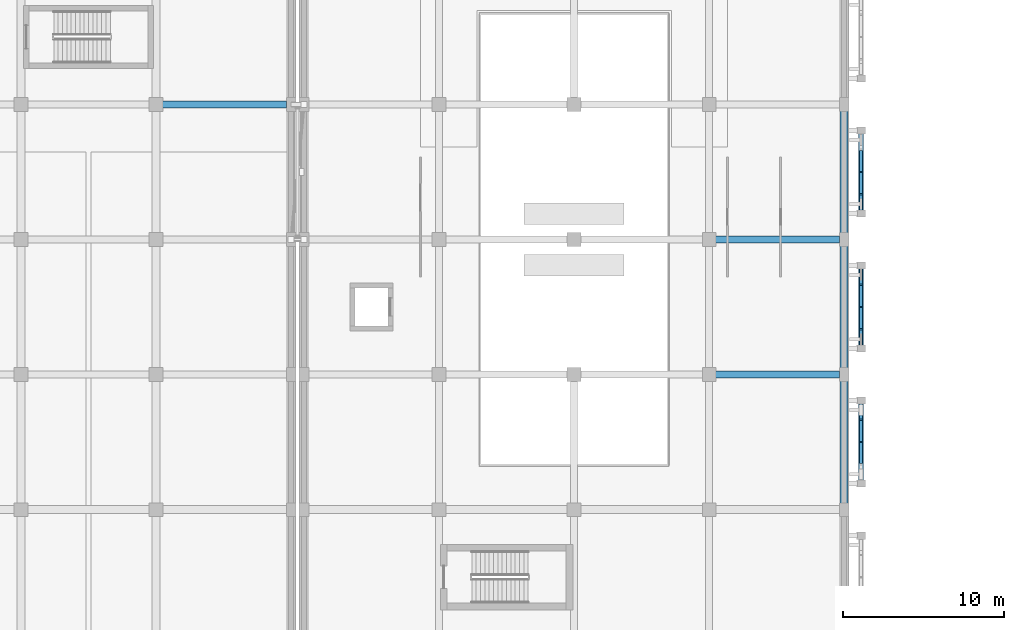
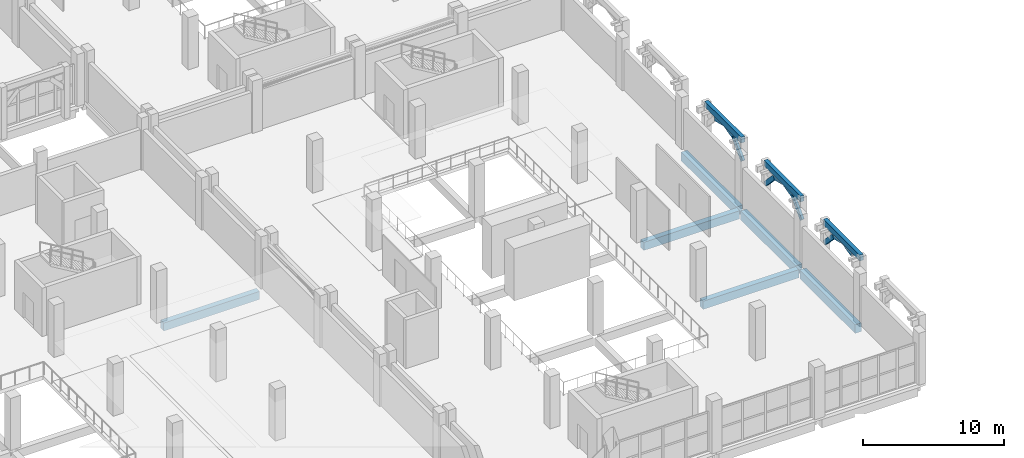
# One storey, part 38 of 137: 10 members, 9 beams.
"""IFC4 building model written with IfcOpenShell, lengths in metres."""

from ifc_helpers import new_model, si_unit, direction, frame, origin, origin_2d, place, context, subcontext, project, spatial, rectangle, extrude, material, material_profile, profile_set, type_object, element, save


model = new_model("IFC4")

# Units and contexts
model_context = context("Model", 3, precision=1e-05, world=origin(), true_north=direction((0.0, 1.0)))
body_context = subcontext(model_context, "Body", "Model", "MODEL_VIEW")
ifc_project = project(units=[si_unit("LENGTHUNIT", "METRE"), si_unit("AREAUNIT", "SQUARE_METRE"), si_unit("VOLUMEUNIT", "CUBIC_METRE"), si_unit("PLANEANGLEUNIT", "RADIAN"), si_unit("MASSUNIT", "GRAM", prefix="KILO")], contexts=[model_context])

# Site, building, storey
site_placement = place(None, origin())
site = spatial("IfcSite", under=ifc_project, at=site_placement, CompositionType="ELEMENT")
building_placement = place(site_placement, origin())
building = spatial("IfcBuilding", under=site, at=building_placement, Name="Xazarin Passage Department Store", CompositionType="ELEMENT")
storey_placement = place(building_placement, frame((0.0, 0.0, 5.39990234375)))
storey = spatial("IfcBuildingStorey", under=building, at=storey_placement, Name="L01", CompositionType="ELEMENT", Elevation=5.39990234375)

# Beams
ifc_material_1 = material(Name="Concrete C35/45", Category="concrete")
ifc_material_profile_1 = material_profile(ifc_material_1, rectangle(XDim=0.449951171875, YDim=0.699951171875, at=origin_2d()), Name="RC 450x700")
ifc_profile_set_1 = profile_set([ifc_material_profile_1], Name="Concrete C35/45")
beam_type_1 = type_object("IfcBeamType", Name="STR-BM-G450x700", PredefinedType="BEAM", material=ifc_profile_set_1)
for number, where, z_axis, x_axis, name in (
    (1, (93.47998046875, 16.800048828125, -0.64990234375), (1.0, 0.0, 0.0), (0.0, 1.0, 0.0), "L01 Grid Beam C/13-14"),
    (2, (93.47998046875, 25.199951171875, -0.64990234375), (1.0, 0.0, 0.0), (0.0, 1.0, 0.0), "L01 Grid Beam D/13-14"),
):
    element("IfcBeam", number, at=place(storey_placement, frame(where, z_axis=z_axis, x_axis=x_axis)), inside=storey, type_object=beam_type_1, Name=name, PredefinedType="BEAM", context=body_context, shape_type="SweptSolid", body=[
        extrude(rectangle(XDim=0.449951171875, YDim=0.699951171875, at=origin_2d()), origin(), (0.0, 0.0, 1.0), 7.840087890625),
    ])
beam_1_placement = place(storey_placement, frame((59.080078125, 33.60009765625, -0.669921875), z_axis=(1.0, 0.0, 0.0), x_axis=(0.0, 1.0, 0.0)))
element("IfcBeam", 3, at=beam_1_placement, inside=storey, type_object=beam_type_1, Name="L01 Grid Beam E/8-9", PredefinedType="BEAM", context=body_context, shape_type="SweptSolid", body=[
    extrude(rectangle(XDim=0.449951171875, YDim=0.699951171875, at=origin_2d()), origin(), (0.0, 0.0, 1.0), 7.83984375),
])
ifc_material_profile_2 = material_profile(ifc_material_1, rectangle(XDim=0.300048828125, YDim=0.5, at=origin_2d()), Name="RC 300x500")
ifc_profile_set_2 = profile_set([ifc_material_profile_2], Name="Concrete C35/45")
beam_type_2 = type_object("IfcBeamType", Name="STR-BM-LN300x500", PredefinedType="LINTEL", material=ifc_profile_set_2)
beam_2_placement = place(storey_placement, frame((102.64990234375, 10.02001953125, 4.25), z_axis=(0.0, 1.0, 0.0), x_axis=(-1.0, 0.0, 0.0)))
element("IfcBeam", 4, at=beam_2_placement, inside=storey, type_object=beam_type_2, Name="L01 V2S Colonnade Spandrel Beam 019", PredefinedType="LINTEL", context=body_context, shape_type="SweptSolid", body=[
    extrude(rectangle(XDim=0.300048828125, YDim=0.5, at=origin_2d()), origin(), (0.0, 0.0, 1.0), 5.159912109375),
])
beam_3_placement = place(storey_placement, frame((102.64990234375, 18.419921875, 4.25), z_axis=(0.0, 1.0, 0.0), x_axis=(-1.0, 0.0, 0.0)))
element("IfcBeam", 5, at=beam_3_placement, inside=storey, type_object=beam_type_2, Name="L01 V2S Colonnade Spandrel Beam 020", PredefinedType="LINTEL", context=body_context, shape_type="SweptSolid", body=[
    extrude(rectangle(XDim=0.300048828125, YDim=0.5, at=origin_2d()), origin(), (0.0, 0.0, 1.0), 5.16015625),
])
beam_4_placement = place(storey_placement, frame((102.64990234375, 26.820068359375, 4.25), z_axis=(0.0, 1.0, 0.0), x_axis=(-1.0, 0.0, 0.0)))
element("IfcBeam", 6, at=beam_4_placement, inside=storey, type_object=beam_type_2, Name="L01 V2S Colonnade Spandrel Beam 021", PredefinedType="LINTEL", context=body_context, shape_type="SweptSolid", body=[
    extrude(rectangle(XDim=0.300048828125, YDim=0.5, at=origin_2d()), origin(), (0.0, 0.0, 1.0), 5.159912109375),
])
ifc_material_profile_3 = material_profile(ifc_material_1, rectangle(XDim=0.5, YDim=0.75, at=origin_2d()), Name="RC 500x750")
ifc_profile_set_3 = profile_set([ifc_material_profile_3], Name="Concrete C35/45")
beam_type_3 = type_object("IfcBeamType", Name="STR-BM-SP500x750", PredefinedType="SPANDREL", material=ifc_profile_set_3)
beam_5_placement = place(storey_placement, frame((101.60009765625, 8.679931640625, -0.6748046875), z_axis=(0.0, 1.0, 0.0), x_axis=(-1.0, 0.0, 0.0)))
element("IfcBeam", 7, at=beam_5_placement, inside=storey, type_object=beam_type_3, Name="L01 Grid Beam 14/B-C", PredefinedType="SPANDREL", context=body_context, shape_type="SweptSolid", body=[
    extrude(rectangle(XDim=0.5, YDim=0.75, at=origin_2d()), origin(), (0.0, 0.0, 1.0), 7.840087890625),
])
beam_6_placement = place(storey_placement, frame((101.60009765625, 17.080078125, -0.6748046875), z_axis=(0.0, 1.0, 0.0), x_axis=(-1.0, 0.0, 0.0)))
element("IfcBeam", 8, at=beam_6_placement, inside=storey, type_object=beam_type_3, Name="L01 Grid Beam 14/C-D", PredefinedType="SPANDREL", context=body_context, shape_type="SweptSolid", body=[
    extrude(rectangle(XDim=0.5, YDim=0.75, at=origin_2d()), origin(), (0.0, 0.0, 1.0), 7.83984375),
])
beam_7_placement = place(storey_placement, frame((101.60009765625, 25.47998046875, -0.6748046875), z_axis=(0.0, 1.0, 0.0), x_axis=(-1.0, 0.0, 0.0)))
element("IfcBeam", 9, at=beam_7_placement, inside=storey, type_object=beam_type_3, Name="L01 Grid Beam 14/D-E", PredefinedType="SPANDREL", context=body_context, shape_type="SweptSolid", body=[
    extrude(rectangle(XDim=0.5, YDim=0.75, at=origin_2d()), origin(), (0.0, 0.0, 1.0), 7.840087890625),
])

# Members
ifc_material_2 = material(Name="Concrete C40/50", Category="concrete")
ifc_material_profile_4 = material_profile(ifc_material_2, rectangle(XDim=0.199951171875, YDim=0.360107421875, at=origin_2d()), Name="RC 200x360")
ifc_profile_set_4 = profile_set([ifc_material_profile_4], Name="Concrete C40/50")
member_type = type_object("IfcMemberType", Name="STR-MEM-ARC360", PredefinedType="CHORD", material=ifc_profile_set_4)
member_1_placement = place(storey_placement, frame((102.64990234375, 11.31005859375, 3.7705078125), z_axis=(0.0, 0.972393983317, 0.233345111818), x_axis=(-1.0, 0.0, 0.0)))
element("IfcMember", 10, at=member_1_placement, inside=storey, type_object=member_type, Name="L01 V2S Pierced Lattice Curved Arch 019.2", PredefinedType="CHORD", context=body_context, shape_type="SweptSolid", body=[
    extrude(rectangle(XDim=0.199951171875, YDim=0.360107421875, at=origin_2d()), origin(), (0.0, 0.0, 1.0), 1.32666015625),
])
member_2_placement = place(storey_placement, frame((102.64990234375, 12.60009765625, 4.080078125), z_axis=(0.0, 0.972383960415, -0.233386875224), x_axis=(-1.0, 0.0, 0.0)))
element("IfcMember", 11, at=member_2_placement, inside=storey, type_object=member_type, Name="L01 V2S Pierced Lattice Curved Arch 019.3", PredefinedType="CHORD", context=body_context, shape_type="SweptSolid", body=[
    extrude(rectangle(XDim=0.199951171875, YDim=0.360107421875, at=origin_2d()), origin(), (0.0, 0.0, 1.0), 1.326416015625),
])
for number, where, z_axis, x_axis, name in (
    (12, (102.64990234375, 13.889892578125, 3.7705078125), (0.0, 0.693460080602, -0.720495049679), (-1.0, 0.0, 0.0), "L01 V2S Pierced Lattice Curved Arch 019.4"),
    (13, (102.64990234375, 18.419921875, 2.43017578125), (0.0, 0.693460080602, 0.720495049679), (-1.0, 0.0, 0.0), "L01 V2S Pierced Lattice Curved Arch 020.1"),
):
    element("IfcMember", number, at=place(storey_placement, frame(where, z_axis=z_axis, x_axis=x_axis)), inside=storey, type_object=member_type, Name=name, PredefinedType="CHORD", context=body_context, shape_type="SweptSolid", body=[
        extrude(rectangle(XDim=0.199951171875, YDim=0.360107421875, at=origin_2d()), origin(), (0.0, 0.0, 1.0), 1.8603515625),
    ])
for number, where, z_axis, x_axis, name in (
    (14, (102.64990234375, 19.7099609375, 3.7705078125), (0.0, 0.972393983317, 0.233345111818), (-1.0, 0.0, 0.0), "L01 V2S Pierced Lattice Curved Arch 020.2"),
    (15, (102.64990234375, 21.0, 4.080078125), (0.0, 0.972393983317, -0.233345111818), (-1.0, 0.0, 0.0), "L01 V2S Pierced Lattice Curved Arch 020.3"),
):
    element("IfcMember", number, at=place(storey_placement, frame(where, z_axis=z_axis, x_axis=x_axis)), inside=storey, type_object=member_type, Name=name, PredefinedType="CHORD", context=body_context, shape_type="SweptSolid", body=[
        extrude(rectangle(XDim=0.199951171875, YDim=0.360107421875, at=origin_2d()), origin(), (0.0, 0.0, 1.0), 1.32666015625),
    ])
for number, where, z_axis, x_axis, name in (
    (16, (102.64990234375, 22.2900390625, 3.7705078125), (0.0, 0.693460080602, -0.720495049679), (-1.0, 0.0, 0.0), "L01 V2S Pierced Lattice Curved Arch 020.4"),
    (17, (102.64990234375, 26.820068359375, 2.43017578125), (0.0, 0.693460080602, 0.720495049679), (-1.0, 0.0, 0.0), "L01 V2S Pierced Lattice Curved Arch 021.1"),
):
    element("IfcMember", number, at=place(storey_placement, frame(where, z_axis=z_axis, x_axis=x_axis)), inside=storey, type_object=member_type, Name=name, PredefinedType="CHORD", context=body_context, shape_type="SweptSolid", body=[
        extrude(rectangle(XDim=0.199951171875, YDim=0.360107421875, at=origin_2d()), origin(), (0.0, 0.0, 1.0), 1.8603515625),
    ])
member_3_placement = place(storey_placement, frame((102.64990234375, 28.110107421875, 3.7705078125), z_axis=(0.0, 0.972383960415, 0.233386875224), x_axis=(-1.0, 0.0, 0.0)))
element("IfcMember", 18, at=member_3_placement, inside=storey, type_object=member_type, Name="L01 V2S Pierced Lattice Curved Arch 021.2", PredefinedType="CHORD", context=body_context, shape_type="SweptSolid", body=[
    extrude(rectangle(XDim=0.199951171875, YDim=0.360107421875, at=origin_2d()), origin(), (0.0, 0.0, 1.0), 1.326416015625),
])
member_4_placement = place(storey_placement, frame((102.64990234375, 29.39990234375, 4.080078125), z_axis=(0.0, 0.972393983317, -0.233345111818), x_axis=(-1.0, 0.0, 0.0)))
element("IfcMember", 19, at=member_4_placement, inside=storey, type_object=member_type, Name="L01 V2S Pierced Lattice Curved Arch 021.3", PredefinedType="CHORD", context=body_context, shape_type="SweptSolid", body=[
    extrude(rectangle(XDim=0.199951171875, YDim=0.360107421875, at=origin_2d()), origin(), (0.0, 0.0, 1.0), 1.32666015625),
])

save(model, "model.ifc")
